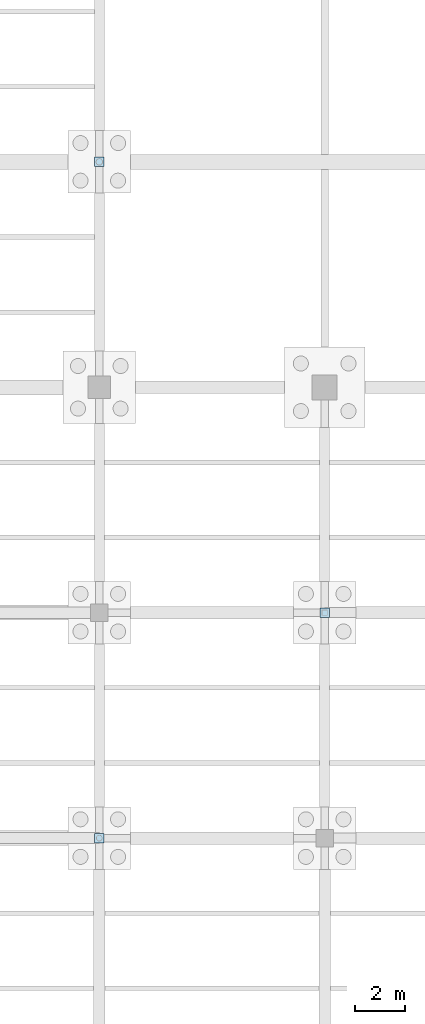
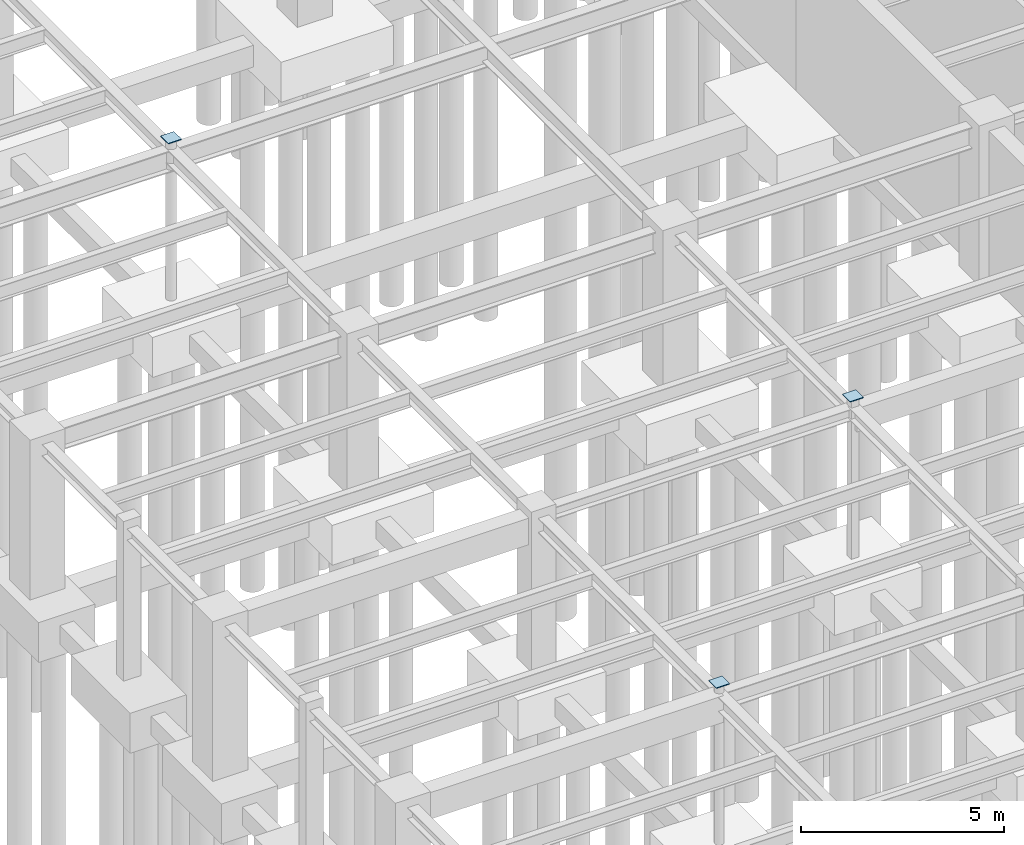
# One storey, part 37 of 49: 3 plates.
"""IFC4 building model written with IfcOpenShell, lengths in metres."""

import ifcopenshell
import ifcopenshell.guid

model = None  # the IFC model being written
_history = None  # IfcOwnerHistory: only IFC2X3 demands one
_inside = {}  # id of a spatial element -> (the spatial element, [elements in it])
_under = {}  # id of a project, library or spatial element -> (it, [spatial elements below it])
_declared = {}  # id of a project -> (the project, [libraries it declares])
_typed = {}  # id of a type object -> (the type object, [elements of that type])
_made_of = {}  # id of a material, layer set ... -> (it, [elements and type objects made of it])


def new_model(schema):
    """Start an empty IFC model of exactly this schema.

    Asked for "IFC4X3", IfcOpenShell would pick the latest addendum, in which some entities
    have other attributes; the version numbers below select the first issue.
    IFC2X3 requires an IfcOwnerHistory on every rooted entity: one is made here for all.
    """
    global model, _history
    if schema == "IFC4X3":
        model = ifcopenshell.file(schema_version=(4, 3, 0, 0))
    else:
        model = ifcopenshell.file(schema=schema)
    _inside.clear()
    _under.clear()
    _declared.clear()
    _typed.clear()
    _made_of.clear()
    _history = None
    if model.schema == "IFC2X3":
        org = make("IfcOrganization", Name="unknown")
        user = make(
            "IfcPersonAndOrganization",
            ThePerson=make("IfcPerson", FamilyName="unknown"),
            TheOrganization=org,
        )
        app = make(
            "IfcApplication",
            ApplicationDeveloper=org,
            Version="unknown",
            ApplicationFullName="unknown",
            ApplicationIdentifier="unknown",
        )
        _history = make(
            "IfcOwnerHistory",
            OwningUser=user,
            OwningApplication=app,
            ChangeAction="ADDED",
            CreationDate=0,
        )
    return model


def make(cls, **values):
    """One entity of the class cls with the attributes given. An attribute that is None is left unset."""
    return model.create_entity(
        cls, **{name: value for name, value in values.items() if value is not None}
    )


def rooted(cls, **values):
    """An entity with a GlobalId (a new one), such as an element, a storey or a relation."""
    return make(cls, GlobalId=ifcopenshell.guid.new(), OwnerHistory=_history, **values)


def si_unit(unit_type, name, prefix=None):
    """IfcSIUnit, for example si_unit("LENGTHUNIT", "METRE", prefix="MILLI")."""
    return make("IfcSIUnit", UnitType=unit_type, Prefix=prefix, Name=name)


def assignment(units):
    """IfcUnitAssignment: the units of a project."""
    return None if units is None else make("IfcUnitAssignment", Units=units)


def point(xyz):
    """IfcCartesianPoint."""
    return None if xyz is None else make("IfcCartesianPoint", Coordinates=xyz)


def direction(xyz):
    """IfcDirection."""
    return None if xyz is None else make("IfcDirection", DirectionRatios=xyz)


def frame(location, z_axis=None, x_axis=None):
    """IfcAxis2Placement3D, a coordinate frame: its origin and axes. An axis left out is left unset."""
    return make(
        "IfcAxis2Placement3D",
        Location=point(location),
        Axis=direction(z_axis),
        RefDirection=direction(x_axis),
    )


def frame_2d(location, x_axis=None):
    """IfcAxis2Placement2D, a coordinate frame in the plane: its origin and x axis."""
    return make(
        "IfcAxis2Placement2D", Location=point(location), RefDirection=direction(x_axis)
    )


def origin():
    """The frame at (0, 0, 0) with its axes left unset."""
    return frame((0.0, 0.0, 0.0))


def origin_2d():
    """The frame at (0, 0) in the plane with its x axis left unset."""
    return frame_2d((0.0, 0.0))


def place(relative_to, where):
    """IfcLocalPlacement: puts the frame where relative to a parent placement (None: the world)."""
    return make(
        "IfcLocalPlacement", PlacementRelTo=relative_to, RelativePlacement=where
    )


def context(
    kind, dimensions, precision=None, world=None, true_north=None, identifier=None
):
    """IfcGeometricRepresentationContext, for example the 3D "Model" context."""
    return make(
        "IfcGeometricRepresentationContext",
        ContextIdentifier=identifier,
        ContextType=kind,
        CoordinateSpaceDimension=dimensions,
        Precision=precision,
        WorldCoordinateSystem=world,
        TrueNorth=true_north,
    )


def subcontext(parent, identifier, kind, view, scale=None):
    """IfcGeometricRepresentationSubContext, for example "Body" below "Model"."""
    return make(
        "IfcGeometricRepresentationSubContext",
        ContextIdentifier=identifier,
        ContextType=kind,
        ParentContext=parent,
        TargetScale=scale,
        TargetView=view,
    )


def project(units=None, contexts=None):
    """IfcProject with its units and contexts."""
    return rooted(
        "IfcProject",
        Name="project",
        RepresentationContexts=contexts,
        UnitsInContext=assignment(units),
    )


def spatial(cls, under=None, at=None, **own):
    """A site, building, storey or space (cls), placed at a placement, below another one or the project."""
    s = rooted(cls, ObjectPlacement=at, **own)
    if under is not None:
        _under.setdefault(under.id(), (under, []))[1].append(s)
    return s


def profile(cls, at=None, kind="AREA", **sizes):
    """A parametric profile (cls). Its sizes go by their IFC names, for example OverallWidth=200.0."""
    return make(cls, ProfileType=kind, Position=at, **sizes)


def rectangle(**sizes):
    """IfcRectangleProfileDef."""
    return profile("IfcRectangleProfileDef", **sizes)


def extrude(swept, where, along, depth):
    """IfcExtrudedAreaSolid: the profile swept, set in the frame where, extruded along a direction by depth."""
    return make(
        "IfcExtrudedAreaSolid",
        SweptArea=swept,
        Position=where,
        ExtrudedDirection=direction(along),
        Depth=depth,
    )


def shape(context_of_items, identifier, shape_type, items):
    """IfcShapeRepresentation: the items that make up one representation, for example the "Body"."""
    return make(
        "IfcShapeRepresentation",
        ContextOfItems=context_of_items,
        RepresentationIdentifier=identifier,
        RepresentationType=shape_type,
        Items=items,
    )


def material(Name=None, Category=None):
    """IfcMaterial."""
    return make("IfcMaterial", Name=Name, Category=Category)


def layer(
    of_material, thickness, ventilated=None, Name=None, Category=None, Priority=None
):
    """IfcMaterialLayer: one layer of a wall or slab, of a material (None: an air gap)."""
    return make(
        "IfcMaterialLayer",
        Material=of_material,
        LayerThickness=thickness,
        IsVentilated=ventilated,
        Name=Name,
        Category=Category,
        Priority=Priority,
    )


def layer_set(layers, Name=None):
    """IfcMaterialLayerSet."""
    return make("IfcMaterialLayerSet", MaterialLayers=layers, LayerSetName=Name)


def made_of(thing, what):
    """Note that an element or type object is made of a material, layer set ...; save() writes the relation."""
    if what is not None:
        _made_of.setdefault(what.id(), (what, []))[1].append(thing)
    return thing


def type_object(cls, material=None, **own):
    """A type object (cls), such as IfcWallType, which elements share."""
    return made_of(rooted(cls, **own), material)


def element(
    cls,
    number,
    at=None,
    inside=None,
    cuts=None,
    type_object=None,
    material=None,
    context=None,
    identifier="Body",
    shape_type=None,
    held_by="IfcProductDefinitionShape",
    body=None,
    shapes=None,
    **own,
):
    """One element of the class cls, such as IfcWall. Its Tag is "e" and its number.

    at: its placement. inside: the storey or other place that contains it. cuts: it is an
    opening in that element (IfcRelVoidsElement). A single representation is given by context,
    identifier, shape_type and body (its items); several are given by shapes. held_by: the class
    of the entity that holds the representations. save() writes the other relations.
    """
    e = rooted(cls, Tag="e%d" % number, ObjectPlacement=at, **own)
    if body is not None:
        shapes = [shape(context, identifier, shape_type, body)]
    if shapes is not None:
        e.Representation = make(held_by, Representations=shapes)
    if inside is not None:
        _inside.setdefault(inside.id(), (inside, []))[1].append(e)
    if cuts is not None:
        rooted(
            "IfcRelVoidsElement", RelatingBuildingElement=cuts, RelatedOpeningElement=e
        )
    if type_object is not None:
        _typed.setdefault(type_object.id(), (type_object, []))[1].append(e)
    return made_of(e, material)


def aggregate(whole, parts):
    """IfcRelAggregates: a whole, such as a stair, and the parts it consists of."""
    return rooted("IfcRelAggregates", RelatingObject=whole, RelatedObjects=parts)


def save(model, path):
    """Write the relations noted so far, then the file.

    IfcRelAggregates (storeys below a building ...), IfcRelContainedInSpatialStructure (elements
    in a storey), IfcRelDefinesByType, IfcRelAssociatesMaterial and IfcRelDeclares: one each for
    every whole, place, type object, material and project.
    """
    for whole, parts in _under.values():
        aggregate(whole, parts)
    for where, things in _inside.values():
        rooted(
            "IfcRelContainedInSpatialStructure",
            RelatedElements=things,
            RelatingStructure=where,
        )
    for kind, things in _typed.values():
        rooted("IfcRelDefinesByType", RelatedObjects=things, RelatingType=kind)
    for what, things in _made_of.values():
        rooted("IfcRelAssociatesMaterial", RelatedObjects=things, RelatingMaterial=what)
    for by, libraries in _declared.values():
        rooted("IfcRelDeclares", RelatingContext=by, RelatedDefinitions=libraries)
    model.write(path)


model = new_model("IFC4")

# Units and contexts
model_context = context("Model", 3, precision=1e-05, world=origin(), true_north=direction((0.0, 1.0)))
body_context = subcontext(model_context, "Body", "Model", "MODEL_VIEW")
ifc_project = project(units=[si_unit("LENGTHUNIT", "METRE"), si_unit("AREAUNIT", "SQUARE_METRE"), si_unit("VOLUMEUNIT", "CUBIC_METRE"), si_unit("PLANEANGLEUNIT", "RADIAN"), si_unit("MASSUNIT", "GRAM", prefix="KILO")], contexts=[model_context])

# Site, building, storey
site_placement = place(None, origin())
site = spatial("IfcSite", under=ifc_project, at=site_placement, CompositionType="ELEMENT")
building_placement = place(site_placement, origin())
building = spatial("IfcBuilding", under=site, at=building_placement, Name="Lykobir Media Centre", CompositionType="ELEMENT")
storey_placement = place(building_placement, frame((0.0, 0.0, -4.800048828125)))
storey = spatial("IfcBuildingStorey", under=building, at=storey_placement, Name="B1", CompositionType="ELEMENT", Elevation=-4.800048828125)

# Plates
ifc_material = material(Name="Steel S355", Category="steel")
ifc_layer = layer(ifc_material, 0.02197265625, Name="Steel S355")
ifc_layer_set = layer_set([ifc_layer], Name="Steel S355")
plate_type = type_object("IfcPlateType", Name="CP-360", PredefinedType="SHEET", material=ifc_layer_set)
for number, where, z_axis, x_axis, name in (
    (1, (9.0, 9.0, 4.800048828125), (0.0, 0.0, 1.0), (1.0, 0.0, 0.0), "Structural plate PLT-B1-0090-0090-0000"),
    (2, (9.0, 36.0, 4.800048828125), (0.0, 0.0, 1.0), (1.0, 0.0, 0.0), "Structural plate PLT-B1-0090-0360-0000"),
    (3, (18.0, 18.0, 4.800048828125), (0.0, 0.0, 1.0), (1.0, 0.0, 0.0), "Structural plate PLT-B1-0180-0180-0000"),
):
    element("IfcPlate", number, at=place(storey_placement, frame(where, z_axis=z_axis, x_axis=x_axis)), inside=storey, type_object=plate_type, Name=name, PredefinedType="SHEET", context=body_context, shape_type="SweptSolid", body=[
        extrude(rectangle(XDim=0.3798828125, YDim=0.3798828125, at=origin_2d()), origin(), (0.0, 0.0, 1.0), 0.02197265625),
    ])

save(model, "model.ifc")
